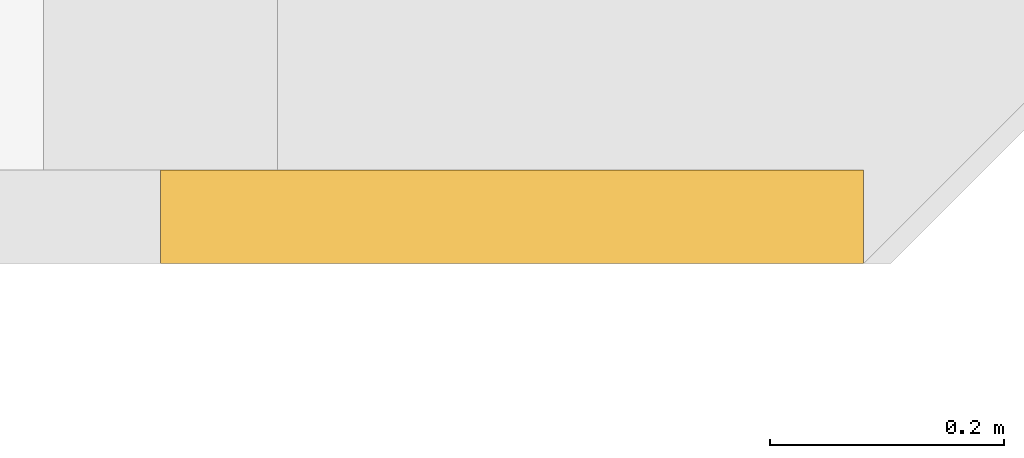
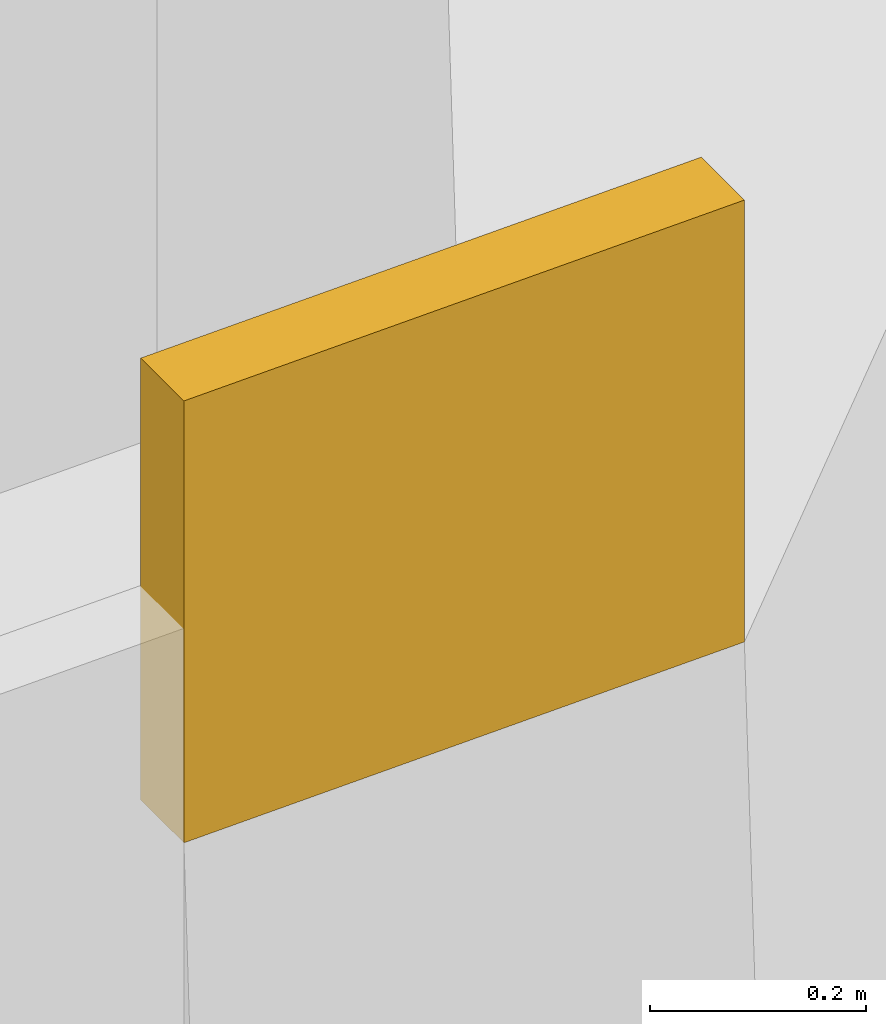
# One storey, part 28 of 29: 1 covering.
"""IFC4 building model written with IfcOpenShell, lengths in metres."""

from ifc_helpers import new_model, si_unit, direction, frame, origin, place, context, subcontext, project, spatial, polyline, outline, extrude, material, layer, layer_set, type_object, element, save


model = new_model("IFC4")

# Units and contexts
model_context = context("Model", 3, precision=1e-05, world=origin(), true_north=direction((0.0, 1.0)))
body_context = subcontext(model_context, "Body", "Model", "MODEL_VIEW")
ifc_project = project(units=[si_unit("LENGTHUNIT", "METRE"), si_unit("AREAUNIT", "SQUARE_METRE"), si_unit("VOLUMEUNIT", "CUBIC_METRE"), si_unit("PLANEANGLEUNIT", "RADIAN"), si_unit("MASSUNIT", "GRAM", prefix="KILO")], contexts=[model_context])

# Site, building, storey
site_placement = place(None, origin())
site = spatial("IfcSite", under=ifc_project, at=site_placement, CompositionType="ELEMENT")
building_placement = place(site_placement, origin())
building = spatial("IfcBuilding", under=site, at=building_placement, Name="Saffron Gate Tower", CompositionType="ELEMENT")
storey_placement = place(building_placement, frame((0.0, 0.0, 55.199951171875)))
storey = spatial("IfcBuildingStorey", under=building, at=storey_placement, Name="L12", CompositionType="ELEMENT", Elevation=55.199951171875)

# Covering
ifc_material = material(Name="Timber, thermally modified ash", Category="wood")
ifc_layer = layer(ifc_material, 0.080078125)
ifc_layer_set = layer_set([ifc_layer], Name="LD2 ledge planter trough")
covering_type = type_object("IfcCoveringType", Name="LD2 ledge planter trough", PredefinedType="CLADDING", material=ifc_layer_set)
covering_placement = place(storey_placement, frame((49.800048828125, 32.39990234375, 3.19580078125), z_axis=(0.0, -1.0, 0.0), x_axis=(0.999582742162, 0.0, 0.028884971385)))
element("IfcCovering", 1, at=covering_placement, inside=storey, type_object=covering_type, Name="LEDGE planter trough", PredefinedType="CLADDING", context=body_context, shape_type="SweptSolid", body=[
    extrude(outline(polyline([(0.0, 0.0), (0.6001039136866089, 0.0), (0.614546399379222, 0.4997913710809928), (0.014442485692613144, 0.49979137108099286), (0.0, 0.0)])), origin(), (0.0, 0.0, -1.0), 0.080078125),
])

save(model, "model.ifc")
